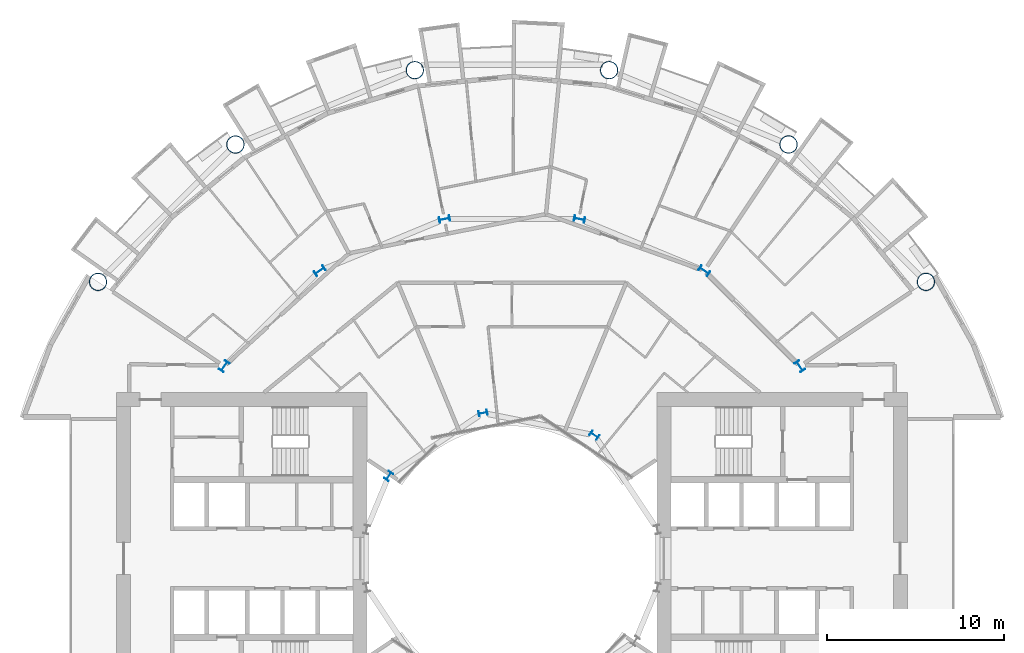
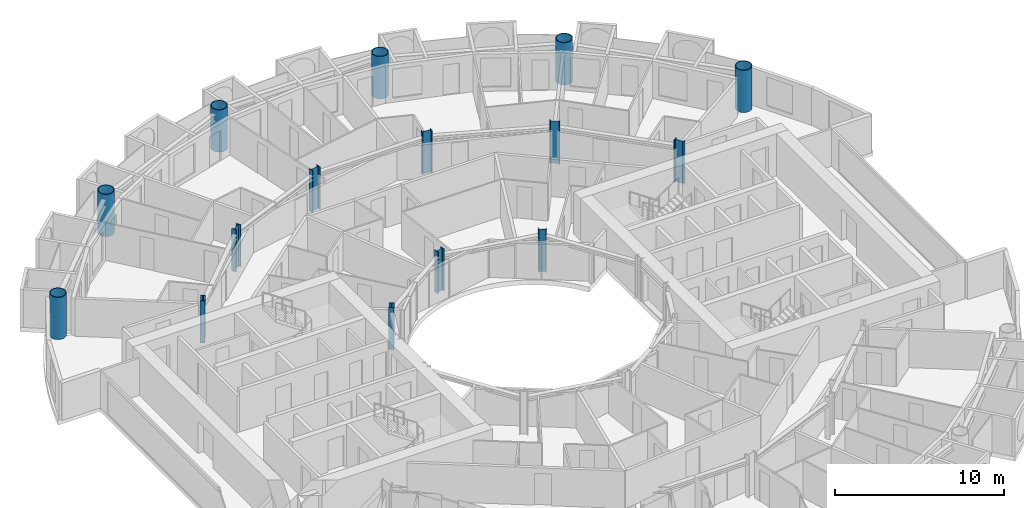
# One storey, part 3 of 26: 15 columns.
"""IFC4 building model written with IfcOpenShell, lengths in metres."""

from ifc_helpers import new_model, si_unit, direction, frame, origin, origin_2d, place, context, subcontext, project, spatial, hollow_circle, i_section, extrude, material, material_profile, profile_set, type_object, element, save


model = new_model("IFC4")

# Units and contexts
model_context = context("Model", 3, precision=1e-05, world=origin(), true_north=direction((0.0, 1.0)))
body_context = subcontext(model_context, "Body", "Model", "MODEL_VIEW")
ifc_project = project(units=[si_unit("LENGTHUNIT", "METRE"), si_unit("AREAUNIT", "SQUARE_METRE"), si_unit("VOLUMEUNIT", "CUBIC_METRE"), si_unit("PLANEANGLEUNIT", "RADIAN"), si_unit("MASSUNIT", "GRAM", prefix="KILO")], contexts=[model_context])

# Site, building, storey
site_placement = place(None, origin())
site = spatial("IfcSite", under=ifc_project, at=site_placement, CompositionType="ELEMENT")
building_placement = place(site_placement, origin())
building = spatial("IfcBuilding", under=site, at=building_placement, Name="Maasbend Ring Residences", CompositionType="ELEMENT")
storey_placement = place(building_placement, frame((0.0, 0.0, 38.050048828125)))
storey = spatial("IfcBuildingStorey", under=building, at=storey_placement, Name="L10", CompositionType="ELEMENT", Elevation=38.050048828125)

# Columns
ifc_material_1 = material(Name="Composite concrete-filled steel tube S460NH / C80/95", Category="concrete")
ifc_material_profile_1 = material_profile(ifc_material_1, hollow_circle(Radius=0.508056640625, WallThickness=0.050048828125, at=origin_2d()), Name="Composite tube column CHS 1016x50")
ifc_profile_set_1 = profile_set([ifc_material_profile_1], Name="Composite concrete-filled steel tube S460NH / C80/95")
column_type_1 = type_object("IfcColumnType", Name="Composite tube column CHS 1016x50", PredefinedType="COLUMN", material=ifc_profile_set_1)
for number, where, z_axis, x_axis, name in (
    (1, (23.447509765625, 15.6669921875, 0.0), (0.0, 0.0, 1.0), (1.0, 0.0, 0.0), "Outer column R2"),
    (2, (15.6669921875, 23.447509765625, 0.0), (0.0, 0.0, 1.0), (1.0, 0.0, 0.0), "Outer column R3"),
    (3, (5.50146484375, 27.658203125, 0.0), (0.0, 0.0, 1.0), (1.0, 0.0, 0.0), "Outer column R4"),
    (4, (-5.50146484375, 27.658203125, 0.0), (0.0, 0.0, 1.0), (1.0, 0.0, 0.0), "Outer column R5"),
    (5, (-15.6669921875, 23.447509765625, 0.0), (0.0, 0.0, 1.0), (1.0, 0.0, 0.0), "Outer column R6"),
    (6, (-23.447509765625, 15.6669921875, 0.0), (0.0, 0.0, 1.0), (1.0, 0.0, 0.0), "Outer column R7"),
):
    element("IfcColumn", number, at=place(storey_placement, frame(where, z_axis=z_axis, x_axis=x_axis)), inside=storey, type_object=column_type_1, Name=name, PredefinedType="COLUMN", context=body_context, shape_type="SweptSolid", body=[
        extrude(hollow_circle(Radius=0.508056640625, WallThickness=0.050048828125, at=origin_2d()), origin(), (0.0, 0.0, 1.0), 3.050048828125),
    ])
ifc_material_2 = material(Name="Steel S355J2", Category="steel")
ifc_material_profile_2 = material_profile(ifc_material_2, i_section(OverallWidth=0.300048828125, OverallDepth=0.5, WebThickness=0.014404296875, FlangeThickness=0.028076171875, FilletRadius=0.027099609375, at=origin_2d()), Name="HEB 500")
ifc_profile_set_2 = profile_set([ifc_material_profile_2], Name="Steel S355J2")
column_type_2 = type_object("IfcColumnType", Name="Steel column HEB 500", PredefinedType="COLUMN", material=ifc_profile_set_2)
for number, where, z_axis, x_axis, name in (
    (7, (4.666748046875, 6.984375, 0.0), (0.0, 0.0, 1.0), (0.55557023302, 0.831469612303, 0.0), "Well ring column R3"),
    (8, (-1.638916015625, 8.238525390625, 0.0), (0.0, 0.0, 1.0), (-0.195090322016, 0.980785280403, 0.0), "Well ring column R5"),
    (9, (-6.984375, 4.666748046875, 0.0), (0.0, 0.0, 1.0), (-0.831469612303, 0.55557023302, 0.0), "Well ring column R7"),
):
    element("IfcColumn", number, at=place(storey_placement, frame(where, z_axis=z_axis, x_axis=x_axis)), inside=storey, type_object=column_type_2, Name=name, PredefinedType="COLUMN", context=body_context, shape_type="SweptSolid", body=[
        extrude(i_section(OverallWidth=0.300048828125, OverallDepth=0.5, WebThickness=0.014404296875, FlangeThickness=0.028076171875, FilletRadius=0.027099609375, at=origin_2d()), origin(), (0.0, 0.0, 1.0), 3.050048828125),
    ])
ifc_material_3 = material(Name="Steel S460M", Category="steel")
ifc_material_profile_3 = material_profile(ifc_material_3, i_section(OverallWidth=0.304931640625, OverallDepth=0.6201171875, WebThickness=0.02099609375, FlangeThickness=0.0400390625, FilletRadius=0.027099609375, at=origin_2d()), Name="HEM 600")
ifc_profile_set_3 = profile_set([ifc_material_profile_3], Name="Steel S460M")
column_type_3 = type_object("IfcColumnType", Name="Steel column HEM 600", PredefinedType="COLUMN", material=ifc_profile_set_3)
for number, where, z_axis, x_axis, name in (
    (10, (16.296875, 10.88916015625, 0.0), (0.0, 0.0, 1.0), (0.831469612303, 0.55557023302, 0.0), "Corridor ring column R2"),
    (11, (10.88916015625, 16.296875, 0.0), (0.0, 0.0, 1.0), (0.55557023302, 0.831469612303, 0.0), "Corridor ring column R3"),
    (12, (3.82373046875, 19.223388671875, 0.0), (0.0, 0.0, 1.0), (0.195090322016, 0.980785280403, 0.0), "Corridor ring column R4"),
    (13, (-3.82373046875, 19.223388671875, 0.0), (0.0, 0.0, 1.0), (-0.195090322016, 0.980785280403, 0.0), "Corridor ring column R5"),
    (14, (-10.88916015625, 16.296875, 0.0), (0.0, 0.0, 1.0), (-0.55557023302, 0.831469612303, 0.0), "Corridor ring column R6"),
    (15, (-16.296875, 10.88916015625, 0.0), (0.0, 0.0, 1.0), (-0.831469612303, 0.55557023302, 0.0), "Corridor ring column R7"),
):
    element("IfcColumn", number, at=place(storey_placement, frame(where, z_axis=z_axis, x_axis=x_axis)), inside=storey, type_object=column_type_3, Name=name, PredefinedType="COLUMN", context=body_context, shape_type="SweptSolid", body=[
        extrude(i_section(OverallWidth=0.304931640625, OverallDepth=0.6201171875, WebThickness=0.02099609375, FlangeThickness=0.0400390625, FilletRadius=0.027099609375, at=origin_2d()), origin(), (0.0, 0.0, 1.0), 3.050048828125),
    ])

save(model, "model.ifc")
